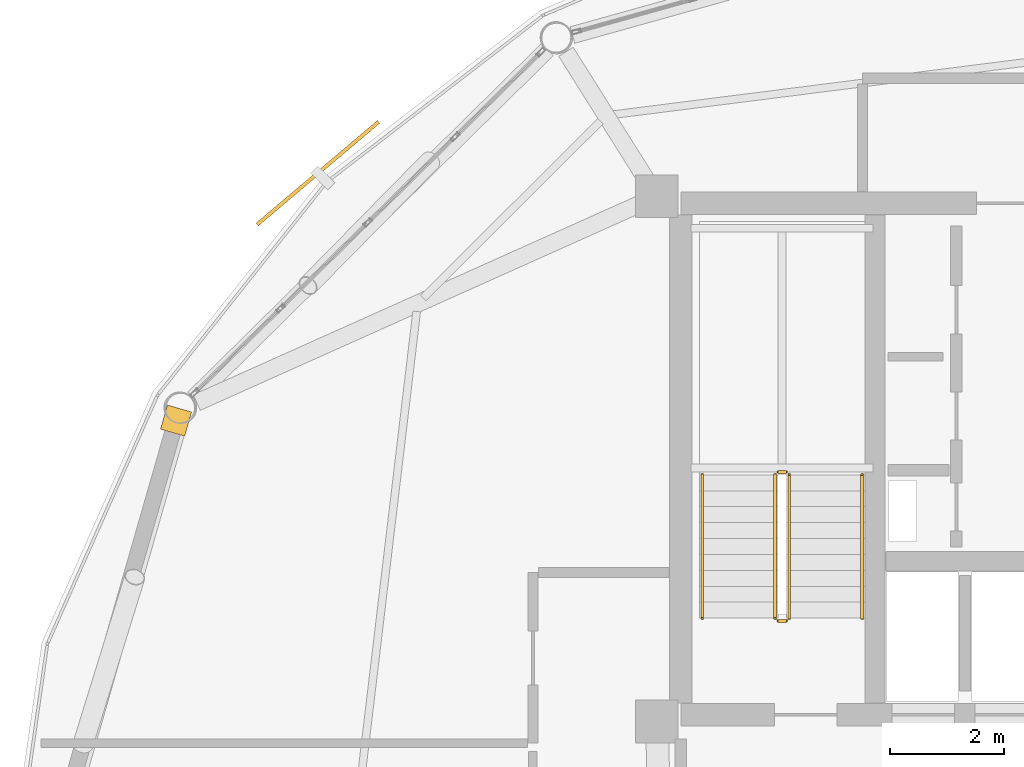
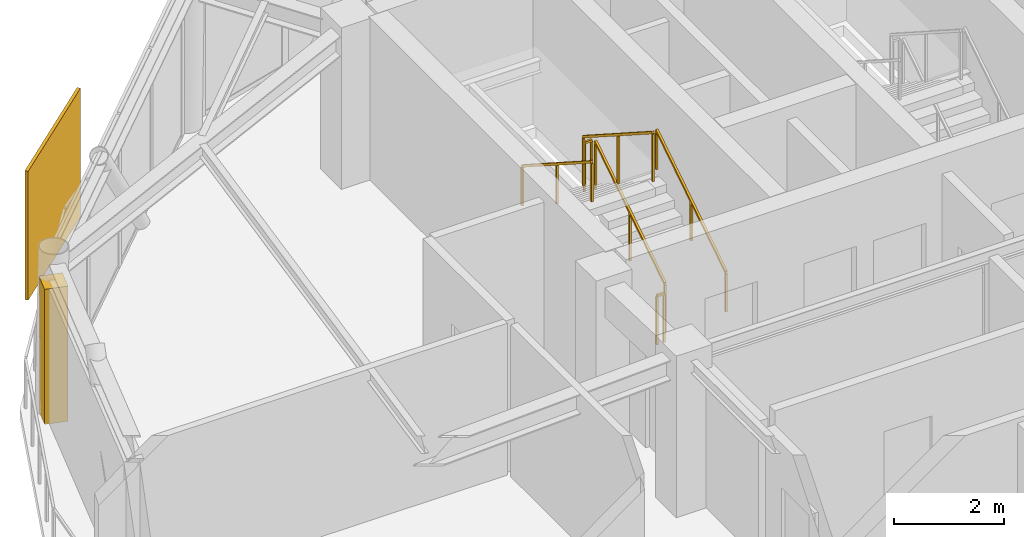
# One storey, part 25 of 27: 6 railings, 1 covering, 1 shading device.
"""IFC4 building model written with IfcOpenShell, lengths in metres."""

from ifc_helpers import new_model, si_unit, direction, frame, origin, origin_2d, place, context, subcontext, project, spatial, rectangle, extrude, source, transform, mapped, material, layer, layer_set, type_object, type_shapes, element, save


model = new_model("IFC4")

# Units and contexts
model_context = context("Model", 3, precision=1e-05, world=origin(), true_north=direction((0.0, 1.0)))
body_context = subcontext(model_context, "Body", "Model", "MODEL_VIEW")
ifc_project = project(units=[si_unit("LENGTHUNIT", "METRE"), si_unit("AREAUNIT", "SQUARE_METRE"), si_unit("VOLUMEUNIT", "CUBIC_METRE"), si_unit("PLANEANGLEUNIT", "RADIAN"), si_unit("MASSUNIT", "GRAM", prefix="KILO")], contexts=[model_context])

# Site, building, storey
site_placement = place(None, origin())
site = spatial("IfcSite", under=ifc_project, at=site_placement, CompositionType="ELEMENT")
building_placement = place(site_placement, origin())
building = spatial("IfcBuilding", under=site, at=building_placement, Name="Varnakorn Sky Granary", CompositionType="ELEMENT")
storey_placement = place(building_placement, frame((0.0, 0.0, 263.39990234375)))
storey = spatial("IfcBuildingStorey", under=building, at=storey_placement, Name="L67", CompositionType="ELEMENT", Elevation=263.39990234375)

# Railings
ifc_material_1 = material(Name="Brushed Stainless Steel 316", Category="steel")
railing_type_1 = type_object("IfcRailingType", Name="RL-STAIR-1100", PredefinedType="GUARDRAIL", material=ifc_material_1)
railing_1_placement = place(storey_placement, frame((-0.090087890625, 5.199951171875, 0.18017578125)))
element("IfcRailing", 1, at=railing_1_placement, inside=storey, type_object=railing_type_1, Name="L67 ST-1 stair guard 1", PredefinedType="GUARDRAIL", context=body_context, shape_type="SweptSolid", body=[
    extrude(rectangle(XDim=0.048095703125, YDim=0.048095703125, at=origin_2d()), frame((0.0, 0.0, 1.076171875), z_axis=(0.0, 0.841199657755, 0.540724639528), x_axis=(-1.0, 0.0, 0.0)), (0.0, 0.0, 1.0), 2.995849609375),
    extrude(rectangle(XDim=0.0419921875, YDim=0.0419921875, at=origin_2d()), origin(), (0.0, 0.0, 1.0), 1.048095703125),
    extrude(rectangle(XDim=0.0419921875, YDim=0.0419921875, at=origin_2d()), frame((0.0, 1.260009765625, 0.81005859375)), (0.0, 0.0, 1.0), 1.048095703125),
    extrude(rectangle(XDim=0.0419921875, YDim=0.0419921875, at=origin_2d()), frame((0.0, 2.52001953125, 1.619873046875)), (0.0, 0.0, 1.0), 1.048095703125),
])
railing_2_placement = place(storey_placement, frame((-0.139892578125, 7.77001953125, 1.800048828125)))
element("IfcRailing", 2, at=railing_2_placement, inside=storey, type_object=railing_type_1, Name="L67 ST-1 stair guard 2", PredefinedType="GUARDRAIL", context=body_context, shape_type="SweptSolid", body=[
    extrude(rectangle(XDim=0.048095703125, YDim=0.048095703125, at=origin_2d()), frame((0.0, 0.0, 1.076171875), z_axis=(-1.0, 0.0, 0.0), x_axis=(0.0, -1.0, 0.0)), (0.0, 0.0, 1.0), 0.150146484375),
    extrude(rectangle(XDim=0.0419921875, YDim=0.0419921875, at=origin_2d()), origin(), (0.0, 0.0, 1.0), 1.048095703125),
    extrude(rectangle(XDim=0.0419921875, YDim=0.0419921875, at=origin_2d()), frame((-0.150146484375, 0.0, 0.0)), (0.0, 0.0, 1.0), 1.048095703125),
])
railing_3_placement = place(storey_placement, frame((-0.340087890625, 7.719970703125, 1.97998046875)))
element("IfcRailing", 3, at=railing_3_placement, inside=storey, type_object=railing_type_1, Name="L67 ST-1 stair guard 3", PredefinedType="GUARDRAIL", context=body_context, shape_type="SweptSolid", body=[
    extrude(rectangle(XDim=0.048095703125, YDim=0.048095703125, at=origin_2d()), frame((0.0, 0.0, 1.076171875), z_axis=(0.0, -0.841162588446, 0.540782303519), x_axis=(1.0, 0.0, 0.0)), (0.0, 0.0, 1.0), 2.995849609375),
    extrude(rectangle(XDim=0.0419921875, YDim=0.0419921875, at=origin_2d()), origin(), (0.0, 0.0, 1.0), 1.048095703125),
    extrude(rectangle(XDim=0.0419921875, YDim=0.0419921875, at=origin_2d()), frame((0.0, -1.260009765625, 0.81005859375)), (0.0, 0.0, 1.0), 1.048095703125),
    extrude(rectangle(XDim=0.0419921875, YDim=0.0419921875, at=origin_2d()), frame((0.0, -2.52001953125, 1.6201171875)), (0.0, 0.0, 1.0), 1.048095703125),
])
railing_4_placement = place(storey_placement, frame((-0.139892578125, 5.14990234375, 0.0)))
element("IfcRailing", 4, at=railing_4_placement, inside=storey, type_object=railing_type_1, Name="L67 ST-1 stair guard 4", PredefinedType="GUARDRAIL", context=body_context, shape_type="SweptSolid", body=[
    extrude(rectangle(XDim=0.048095703125, YDim=0.048095703125, at=origin_2d()), frame((0.0, 0.0, 1.076171875), z_axis=(-1.0, 0.0, 0.0), x_axis=(0.0, -1.0, 0.0)), (0.0, 0.0, 1.0), 0.150146484375),
    extrude(rectangle(XDim=0.0419921875, YDim=0.0419921875, at=origin_2d()), origin(), (0.0, 0.0, 1.0), 1.048095703125),
    extrude(rectangle(XDim=0.0419921875, YDim=0.0419921875, at=origin_2d()), frame((-0.150146484375, 0.0, 0.0)), (0.0, 0.0, 1.0), 1.048095703125),
])
railing_type_2 = type_object("IfcRailingType", Name="RL-STAIR-920", PredefinedType="HANDRAIL", material=ifc_material_1)
railing_5_placement = place(storey_placement, frame((1.18994140625, 5.199951171875, 0.18017578125)))
element("IfcRailing", 5, at=railing_5_placement, inside=storey, type_object=railing_type_2, Name="L67 ST-1 stair handrail 1", PredefinedType="HANDRAIL", context=body_context, shape_type="SweptSolid", body=[
    extrude(rectangle(XDim=0.048095703125, YDim=0.048095703125, at=origin_2d()), frame((0.0, 0.0, 0.8759765625), z_axis=(0.0, 0.841199657755, 0.540724639528), x_axis=(-1.0, 0.0, 0.0)), (0.0, 0.0, 1.0), 2.995849609375),
    extrude(rectangle(XDim=0.0419921875, YDim=0.0419921875, at=origin_2d()), origin(), (0.0, 0.0, 1.0), 0.847900390625),
    extrude(rectangle(XDim=0.0419921875, YDim=0.0419921875, at=origin_2d()), frame((0.0, 1.260009765625, 0.81005859375)), (0.0, 0.0, 1.0), 0.847900390625),
    extrude(rectangle(XDim=0.0419921875, YDim=0.0419921875, at=origin_2d()), frame((0.0, 2.52001953125, 1.619873046875)), (0.0, 0.0, 1.0), 0.847900390625),
])
railing_6_placement = place(storey_placement, frame((-1.6201171875, 7.719970703125, 1.97998046875)))
element("IfcRailing", 6, at=railing_6_placement, inside=storey, type_object=railing_type_2, Name="L67 ST-1 stair handrail 2", PredefinedType="HANDRAIL", context=body_context, shape_type="SweptSolid", body=[
    extrude(rectangle(XDim=0.048095703125, YDim=0.048095703125, at=origin_2d()), frame((0.0, 0.0, 0.8759765625), z_axis=(0.0, -0.841162588446, 0.540782303519), x_axis=(1.0, 0.0, 0.0)), (0.0, 0.0, 1.0), 2.995849609375),
    extrude(rectangle(XDim=0.0419921875, YDim=0.0419921875, at=origin_2d()), origin(), (0.0, 0.0, 1.0), 0.847900390625),
    extrude(rectangle(XDim=0.0419921875, YDim=0.0419921875, at=origin_2d()), frame((0.0, -1.260009765625, 0.81005859375)), (0.0, 0.0, 1.0), 0.847900390625),
    extrude(rectangle(XDim=0.0419921875, YDim=0.0419921875, at=origin_2d()), frame((0.0, -2.52001953125, 1.6201171875)), (0.0, 0.0, 1.0), 0.847900390625),
])

# Covering
ifc_material_2 = material(Name="Anodised Bronze Aluminium Alloy 6063-T6", Category="aluminium")
ifc_layer = layer(ifc_material_2, 0.050048828125, Name="Anodised Bronze Aluminium Alloy 6063-T6")
ifc_layer_set = layer_set([ifc_layer], Name="Anodised Bronze Aluminium Alloy 6063-T6")
covering_type = type_object("IfcCoveringType", Name="CV-CLAD-50", PredefinedType="CLADDING", material=ifc_layer_set)
shared_shape_1 = source(origin(), body_context, "Body", "SweptSolid", [
    extrude(rectangle(XDim=0.43994140625, YDim=0.43994140625, at=origin_2d()), origin(), (0.0, 0.0, 1.0), 2.989990234375),
])
type_shapes(covering_type, [shared_shape_1])
covering_placement = place(storey_placement, frame((-10.88037109375, 8.675537109375, -0.02001953125), z_axis=(0.0, 0.0, 1.0), x_axis=(0.276308375854, 0.961069030524, 0.0)))
element("IfcCovering", 7, at=covering_placement, inside=storey, type_object=covering_type, Name="Bronze Corner Pilaster Closure L67-P06-B", PredefinedType="CLADDING", context=body_context, shape_type="MappedRepresentation", body=[
    mapped(shared_shape_1, transform((0.0, 0.0, 0.0), x_axis=(1.0, 0.0, 0.0), y_axis=(0.0, 1.0, 0.0), z_axis=(0.0, 0.0, 1.0), scale=1.0)),
])

# Shading device
shading_device_type = type_object("IfcShadingDeviceType", Name="SH-SCR-03", PredefinedType="USERDEFINED", material=ifc_material_2)
shared_shape_2 = source(origin(), body_context, "Body", "SweptSolid", [
    extrude(rectangle(XDim=2.800048828125, YDim=0.06494140625, at=origin_2d()), origin(), (0.0, 0.0, 1.0), 2.85009765625),
])
type_shapes(shading_device_type, [shared_shape_2])
shading_device_placement = place(storey_placement, frame((-8.384033203125, 13.028564453125, -0.0400390625), z_axis=(0.0, 0.0, 1.0), x_axis=(-0.763813588573, -0.64543690777, 0.0)))
element("IfcShadingDevice", 8, at=shading_device_placement, inside=storey, type_object=shading_device_type, Name="Perforated Bronze Solar Screen Panel SCREEN L67-05", ObjectType="SCREEN", PredefinedType="USERDEFINED", context=body_context, shape_type="MappedRepresentation", body=[
    mapped(shared_shape_2, transform((0.0, 0.0, 0.0), x_axis=(1.0, 0.0, 0.0), y_axis=(0.0, 1.0, 0.0), z_axis=(0.0, 0.0, 1.0), scale=1.0)),
])

save(model, "model.ifc")
